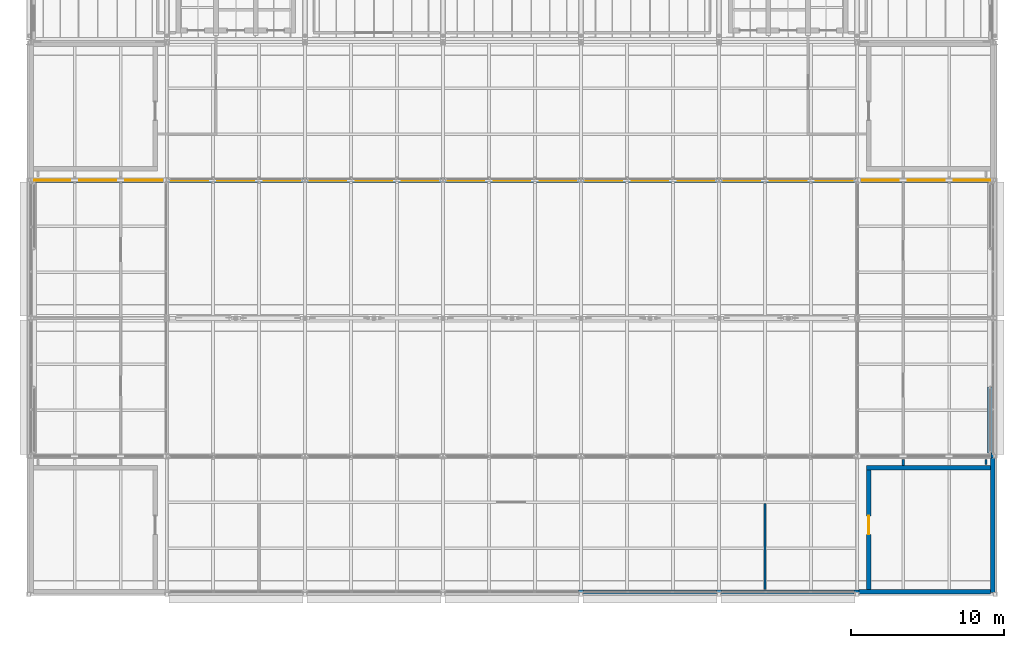
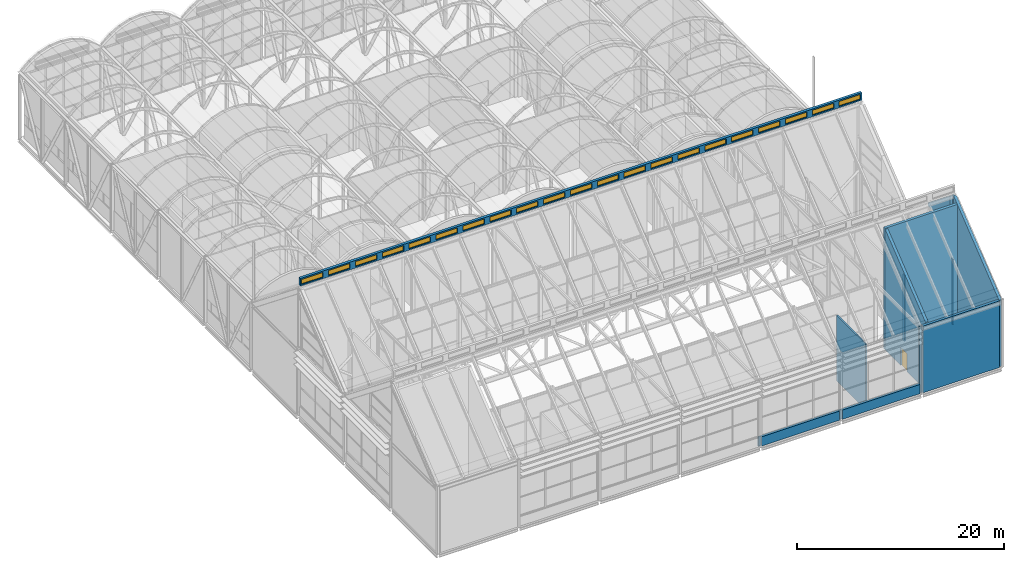
# One storey, part 126 of 144: 21 windows, 15 walls, 1 door, 22 openings.
"""IFC4 building model written with IfcOpenShell, lengths in metres."""

from ifc_helpers import new_model, si_unit, direction, frame, frame_2d, origin, place, context, subcontext, project, spatial, polyline, rectangle, outline, extrude, material, layer, layer_set, type_object, element, fill, save


model = new_model("IFC4")

# Units and contexts
model_context = context("Model", 3, precision=1e-05, world=origin(), true_north=direction((0.0, 1.0)))
body_context = subcontext(model_context, "Body", "Model", "MODEL_VIEW")
ifc_project = project(units=[si_unit("LENGTHUNIT", "METRE"), si_unit("AREAUNIT", "SQUARE_METRE"), si_unit("VOLUMEUNIT", "CUBIC_METRE"), si_unit("PLANEANGLEUNIT", "RADIAN"), si_unit("MASSUNIT", "GRAM", prefix="KILO")], contexts=[model_context])

# Site, building, storey
site_placement = place(None, origin())
site = spatial("IfcSite", under=ifc_project, at=site_placement, CompositionType="ELEMENT")
building_placement = place(site_placement, origin())
building = spatial("IfcBuilding", under=site, at=building_placement, Name="Shorebreak Coast Museum", CompositionType="ELEMENT")
storey_placement = place(building_placement, frame((0.0, 0.0, 36.0)))
storey = spatial("IfcBuildingStorey", under=building, at=storey_placement, Name="L06", CompositionType="ELEMENT", Elevation=36.0)

# Walls
ifc_material_1 = material(Name="Concrete N50 (50 MPa)", Category="concrete")
ifc_layer_1 = layer(ifc_material_1, 0.14990234375)
ifc_layer_set_1 = layer_set([ifc_layer_1], Name="Concrete N50 (50 MPa)")
wall_type_1 = type_object("IfcWallType", Name="Column closure panel 150", PredefinedType="SOLIDWALL", material=ifc_layer_set_1)
for number, where, z_axis, x_axis, name in (
    (1, (89.839111328125, 54.199951171875, 0.0), (0.0, 0.0, 1.0), (1.0, 0.0, 0.0), "Column closure panel L06 S 11G"),
    (2, (98.839111328125, 54.199951171875, 0.0), (0.0, 0.0, 1.0), (1.0, 0.0, 0.0), "Column closure panel L06 S 12G"),
):
    element("IfcWall", number, at=place(storey_placement, frame(where, z_axis=z_axis, x_axis=x_axis)), inside=storey, type_object=wall_type_1, Name=name, PredefinedType="SOLIDWALL", context=body_context, shape_type="SweptSolid", body=[
        extrude(rectangle(XDim=0.32177734375, YDim=0.14990234375, at=frame_2d((0.160888671875, 0.0))), origin(), (0.0, 0.0, 1.0), 1.10009765625),
    ])
wall_1_placement = place(storey_placement, frame((107.802978515625, 54.199951171875, 0.0), z_axis=(0.0, 0.0, 1.0), x_axis=(1.0, 0.0, 0.0)))
element("IfcWall", 3, at=wall_1_placement, inside=storey, type_object=wall_type_1, Name="Column closure panel L06 S 13G", PredefinedType="SOLIDWALL", context=body_context, shape_type="SweptSolid", body=[
    extrude(rectangle(XDim=0.322021484375, YDim=0.14990234375, at=frame_2d((0.1611328125, 0.0))), origin(), (0.0, 0.0, 1.0), 7.864013671875),
])
wall_2_placement = place(storey_placement, frame((116.800048828125, 62.875, 0.0), z_axis=(0.0, 0.0, 1.0), x_axis=(0.0, 1.0, 0.0)))
element("IfcWall", 4, at=wall_2_placement, inside=storey, type_object=wall_type_1, Name="Column closure panel L06 E 14H", PredefinedType="SOLIDWALL", context=body_context, shape_type="SweptSolid", body=[
    extrude(rectangle(XDim=0.322021484375, YDim=0.14990234375, at=frame_2d((0.1611328125, 0.0))), origin(), (0.0, 0.0, 1.0), 14.843994140625),
])
ifc_material_2 = material(Name="Plasterboard on steel stud", Category="steel")
ifc_layer_2 = layer(ifc_material_2, 0.14990234375)
ifc_layer_set_2 = layer_set([ifc_layer_2], Name="Plasterboard on steel stud")
wall_type_2 = type_object("IfcWallType", Name="Fire partition 150", PredefinedType="PARTITIONING", material=ifc_layer_set_2)
wall_3_placement = place(storey_placement, frame((102.0, 54.300048828125, 0.0), z_axis=(0.0, 0.0, 1.0), x_axis=(0.0, 1.0, 0.0)))
element("IfcWall", 5, at=wall_3_placement, inside=storey, type_object=wall_type_2, Name="Partition L06-072", PredefinedType="PARTITIONING", context=body_context, shape_type="SweptSolid", body=[
    extrude(rectangle(XDim=5.625, YDim=0.14990234375, at=frame_2d((2.8125, 0.0))), origin(), (0.0, 0.0, 1.0), 7.743896484375),
])
wall_4_placement = place(storey_placement, frame((111.0, 62.39990234375, 0.0), z_axis=(0.0, 0.0, 1.0), x_axis=(0.0, 1.0, 0.0)))
element("IfcWall", 6, at=wall_4_placement, inside=storey, type_object=wall_type_2, Name="Partition L06-077", PredefinedType="PARTITIONING", context=body_context, shape_type="SweptSolid", body=[
    extrude(rectangle(XDim=0.380126953125, YDim=0.14990234375, at=frame_2d((0.18994140625, 0.0))), origin(), (0.0, 0.0, 1.0), 7.743896484375),
])
wall_5_placement = place(storey_placement, frame((116.39990234375, 62.449951171875, 0.0), z_axis=(0.0, 0.0, 1.0), x_axis=(0.0, 1.0, 0.0)))
element("IfcWall", 7, at=wall_5_placement, inside=storey, type_object=wall_type_2, Name="Partition L06-084", PredefinedType="PARTITIONING", context=body_context, shape_type="SweptSolid", body=[
    extrude(rectangle(XDim=0.330078125, YDim=0.14990234375, at=frame_2d((0.1650390625, 0.0))), origin(), (0.0, 0.0, 1.0), 7.743896484375),
])
ifc_material_3 = material(Name="Concrete N50 (50 MPa)", Category="concrete")
ifc_layer_3 = layer(ifc_material_3, 0.35009765625)
ifc_layer_set_3 = layer_set([ifc_layer_3], Name="Concrete N50 (50 MPa)")
wall_type_3 = type_object("IfcWallType", Name="Gable crown panel 350", PredefinedType="SOLIDWALL", material=ifc_layer_set_3)
wall_6_placement = place(storey_placement, frame((116.66943359375, 63.197021484375, 11.0), z_axis=(0.0, 0.0, 1.0), x_axis=(0.0, 1.0, 0.0)))
element("IfcWall", 8, at=wall_6_placement, inside=storey, type_object=wall_type_3, Name="Gable crown apex FOLD-X-117-1", PredefinedType="SOLIDWALL", context=body_context, shape_type="SweptSolid", body=[
    extrude(outline(polyline([(0.0, 0.0), (4.302978515625, 0.0), (4.302978515625, 0.343994140625), (0.0, 3.786376953125), (0.0, 0.0)])), frame((0.0, 0.175048828125, 0.0), z_axis=(0.0, -1.0, 0.0), x_axis=(1.0, 0.0, 0.0)), (0.0, 0.0, 1.0), 0.35009765625),
])
ifc_material_4 = material(Name="Concrete N50 (50 MPa)", Category="concrete")
ifc_layer_4 = layer(ifc_material_4, 0.25)
ifc_layer_set_4 = layer_set([ifc_layer_4], Name="Concrete N50 (50 MPa)")
wall_type_4 = type_object("IfcWallType", Name="Precast upper panel 250", PredefinedType="SOLIDWALL", material=ifc_layer_set_4)
wall_7_placement = place(storey_placement, frame((90.160888671875, 54.14990234375, 0.0), z_axis=(0.0, 0.0, 1.0), x_axis=(1.0, 0.0, 0.0)))
element("IfcWall", 9, at=wall_7_placement, inside=storey, type_object=wall_type_4, Name="External wall L06 S 11G", PredefinedType="SOLIDWALL", context=body_context, shape_type="SweptSolid", body=[
    extrude(rectangle(XDim=8.67822265625, YDim=0.25, at=frame_2d((4.339111328125, 0.0))), origin(), (0.0, 0.0, 1.0), 1.10009765625),
])
wall_8_placement = place(storey_placement, frame((99.160888671875, 54.14990234375, 0.0), z_axis=(0.0, 0.0, 1.0), x_axis=(1.0, 0.0, 0.0)))
element("IfcWall", 10, at=wall_8_placement, inside=storey, type_object=wall_type_4, Name="External wall L06 S 12G", PredefinedType="SOLIDWALL", context=body_context, shape_type="SweptSolid", body=[
    extrude(rectangle(XDim=8.64208984375, YDim=0.25, at=frame_2d((4.321044921875, 0.0))), origin(), (0.0, 0.0, 1.0), 1.10009765625),
])
ifc_material_5 = material(Name="Concrete N50 (50 MPa)", Category="concrete")
ifc_layer_5 = layer(ifc_material_5, 0.300048828125)
ifc_layer_set_5 = layer_set([ifc_layer_5], Name="Concrete N50 (50 MPa)")
wall_type_5 = type_object("IfcWallType", Name="RC wall 300", PredefinedType="SHEAR", material=ifc_layer_set_5)
wall_9_placement = place(storey_placement, frame((108.125, 54.14990234375, 0.0), z_axis=(0.0, 0.0, 1.0), x_axis=(1.0, 0.0, 0.0)))
element("IfcWall", 11, at=wall_9_placement, inside=storey, type_object=wall_type_5, Name="Stair core wall ST02 L06 S", PredefinedType="SHEAR", context=body_context, shape_type="SweptSolid", body=[
    extrude(rectangle(XDim=8.574951171875, YDim=0.300048828125, at=frame_2d((4.28759765625, 0.0))), origin(), (0.0, 0.0, 1.0), 7.864013671875),
])
wall_10_placement = place(storey_placement, frame((108.60009765625, 62.25, 0.0), z_axis=(0.0, 0.0, 1.0), x_axis=(1.0, 0.0, 0.0)))
element("IfcWall", 12, at=wall_10_placement, inside=storey, type_object=wall_type_5, Name="Stair core wall ST02 L06 N", PredefinedType="SHEAR", context=body_context, shape_type="SweptSolid", body=[
    extrude(rectangle(XDim=8.099853515625, YDim=0.300048828125, at=frame_2d((4.0498046875, 0.0))), origin(), (0.0, 0.0, 1.0), 14.343994140625),
])

# Wall, opening, door
wall_11_placement = place(storey_placement, frame((108.75, 54.300048828125, 0.0), z_axis=(0.0, 0.0, 1.0), x_axis=(0.0, 1.0, 0.0)))
wall_11 = element("IfcWall", 13, at=wall_11_placement, inside=storey, type_object=wall_type_5, Name="Stair core wall ST02 L06 W", PredefinedType="SHEAR", context=body_context, shape_type="SweptSolid", body=[
    extrude(outline(polyline([(0.0, 0.0), (7.800048828125, 0.0), (7.800048828125, 14.223876953125), (0.0, 7.98388671875), (0.0, 0.0)])), frame((0.0, 0.14990234375, 0.0), z_axis=(0.0, -1.0, 0.0), x_axis=(1.0, 0.0, 0.0)), (0.0, 0.0, 1.0), 0.300048828125),
])
opening_1_placement = place(wall_11_placement, frame((3.60009765625, 0.0, 0.0)))
opening_1 = element("IfcOpeningElement", 14, at=opening_1_placement, cuts=wall_11, Name="Opening D6802", PredefinedType="OPENING", context=body_context, shape_type="SweptSolid", body=[
    extrude(rectangle(XDim=1.199951171875, YDim=2.10009765625, at=frame_2d((0.60009765625, 1.050048828125))), frame((0.0, 0.159912109375, 0.0), z_axis=(0.0, -1.0, 0.0), x_axis=(1.0, 0.0, 0.0)), (0.0, 0.0, 1.0), 0.320068359375),
])
ifc_material_6 = material(Name="Steel Grade 300", Category="steel")
door_type = type_object("IfcDoorType", Name="Fire door 1200x2100", OperationType="SINGLE_SWING_LEFT", PredefinedType="DOOR", material=ifc_material_6)
door_placement = place(opening_1_placement, origin())
door = element("IfcDoor", 15, at=door_placement, inside=storey, type_object=door_type, Name="Stair door ST02 L06", OperationType="SINGLE_SWING_RIGHT", OverallHeight=2.10009765625, OverallWidth=1.199951171875, PredefinedType="DOOR", context=body_context, shape_type="SweptSolid", body=[
    extrude(rectangle(XDim=1.199951171875, YDim=2.10009765625, at=frame_2d((0.60009765625, 1.050048828125))), frame((0.0, 0.02490234375, 0.0), z_axis=(0.0, -1.0, 0.0), x_axis=(1.0, 0.0, 0.0)), (0.0, 0.0, 1.0), 0.050048828125),
])
fill(opening_1, door)

# Wall
wall_12_placement = place(storey_placement, frame((116.85009765625, 54.125, 0.0), z_axis=(0.0, 0.0, 1.0), x_axis=(0.0, 1.0, 0.0)))
element("IfcWall", 16, at=wall_12_placement, inside=storey, type_object=wall_type_5, Name="Stair core wall ST02 L06 E", PredefinedType="SHEAR", context=body_context, shape_type="SweptSolid", body=[
    extrude(outline(polyline([(0.0, 0.0), (8.75, 0.0), (8.75, 14.843994140625), (0.0, 7.843994140625), (0.0, 0.0)])), frame((0.0, 0.14990234375, 0.0), z_axis=(0.0, -1.0, 0.0), x_axis=(1.0, 0.0, 0.0)), (0.0, 0.0, 1.0), 0.300048828125),
])

# Wall, openings, windows
ifc_material_7 = material(Name="Concrete N50 (50 MPa)", Category="concrete")
ifc_layer_6 = layer(ifc_material_7, 0.300048828125)
ifc_layer_set_6 = layer_set([ifc_layer_6], Name="Concrete N50 (50 MPa)")
wall_type_6 = type_object("IfcWallType", Name="Ridge lantern kerb 300", PredefinedType="SOLIDWALL", material=ifc_layer_set_6)
wall_13_placement = place(storey_placement, frame((54.14990234375, 81.0, 15.199951171875), z_axis=(0.0, 0.0, 1.0), x_axis=(1.0, 0.0, 0.0)))
wall_13 = element("IfcWall", 17, at=wall_13_placement, inside=storey, type_object=wall_type_6, Name="Ridge lantern FOLD-X R2", PredefinedType="SOLIDWALL", context=body_context, shape_type="SweptSolid", body=[
    extrude(rectangle(XDim=62.7001953125, YDim=0.300048828125, at=frame_2d((31.35009765625, 0.0))), origin(), (0.0, 0.0, 1.0), 0.900146484375),
])
opening_2_placement = place(wall_13_placement, frame((0.14990234375, 0.0, 0.14990234375)))
opening_2 = element("IfcOpeningElement", 18, at=opening_2_placement, cuts=wall_13, Name="Opening R-58", PredefinedType="OPENING", context=body_context, shape_type="SweptSolid", body=[
    extrude(rectangle(XDim=2.39990234375, YDim=0.60009765625, at=frame_2d((1.199951171875, 0.300048828125))), frame((0.0, 0.159912109375, 0.0), z_axis=(0.0, -1.0, 0.0), x_axis=(1.0, 0.0, 0.0)), (0.0, 0.0, 1.0), 0.320068359375),
])
opening_3_placement = place(wall_13_placement, frame((3.14990234375, 0.0, 0.14990234375)))
opening_3 = element("IfcOpeningElement", 19, at=opening_3_placement, cuts=wall_13, Name="Opening R-59", PredefinedType="OPENING", context=body_context, shape_type="SweptSolid", body=[
    extrude(rectangle(XDim=2.39990234375, YDim=0.60009765625, at=frame_2d((1.199951171875, 0.300048828125))), frame((0.0, 0.159912109375, 0.0), z_axis=(0.0, -1.0, 0.0), x_axis=(1.0, 0.0, 0.0)), (0.0, 0.0, 1.0), 0.320068359375),
])
opening_4_placement = place(wall_13_placement, frame((6.14990234375, 0.0, 0.14990234375)))
opening_4 = element("IfcOpeningElement", 20, at=opening_4_placement, cuts=wall_13, Name="Opening R-60", PredefinedType="OPENING", context=body_context, shape_type="SweptSolid", body=[
    extrude(rectangle(XDim=2.39990234375, YDim=0.60009765625, at=frame_2d((1.199951171875, 0.300048828125))), frame((0.0, 0.159912109375, 0.0), z_axis=(0.0, -1.0, 0.0), x_axis=(1.0, 0.0, 0.0)), (0.0, 0.0, 1.0), 0.320068359375),
])
opening_5_placement = place(wall_13_placement, frame((9.14990234375, 0.0, 0.14990234375)))
opening_5 = element("IfcOpeningElement", 21, at=opening_5_placement, cuts=wall_13, Name="Opening R-61", PredefinedType="OPENING", context=body_context, shape_type="SweptSolid", body=[
    extrude(rectangle(XDim=2.39990234375, YDim=0.60009765625, at=frame_2d((1.199951171875, 0.300048828125))), frame((0.0, 0.159912109375, 0.0), z_axis=(0.0, -1.0, 0.0), x_axis=(1.0, 0.0, 0.0)), (0.0, 0.0, 1.0), 0.320068359375),
])
opening_6_placement = place(wall_13_placement, frame((12.14990234375, 0.0, 0.14990234375)))
opening_6 = element("IfcOpeningElement", 22, at=opening_6_placement, cuts=wall_13, Name="Opening R-62", PredefinedType="OPENING", context=body_context, shape_type="SweptSolid", body=[
    extrude(rectangle(XDim=2.39990234375, YDim=0.60009765625, at=frame_2d((1.199951171875, 0.300048828125))), frame((0.0, 0.159912109375, 0.0), z_axis=(0.0, -1.0, 0.0), x_axis=(1.0, 0.0, 0.0)), (0.0, 0.0, 1.0), 0.320068359375),
])
opening_7_placement = place(wall_13_placement, frame((15.14990234375, 0.0, 0.14990234375)))
opening_7 = element("IfcOpeningElement", 23, at=opening_7_placement, cuts=wall_13, Name="Opening R-63", PredefinedType="OPENING", context=body_context, shape_type="SweptSolid", body=[
    extrude(rectangle(XDim=2.39990234375, YDim=0.60009765625, at=frame_2d((1.199951171875, 0.300048828125))), frame((0.0, 0.159912109375, 0.0), z_axis=(0.0, -1.0, 0.0), x_axis=(1.0, 0.0, 0.0)), (0.0, 0.0, 1.0), 0.320068359375),
])
opening_8_placement = place(wall_13_placement, frame((18.14990234375, 0.0, 0.14990234375)))
opening_8 = element("IfcOpeningElement", 24, at=opening_8_placement, cuts=wall_13, Name="Opening R-64", PredefinedType="OPENING", context=body_context, shape_type="SweptSolid", body=[
    extrude(rectangle(XDim=2.39990234375, YDim=0.60009765625, at=frame_2d((1.199951171875, 0.300048828125))), frame((0.0, 0.159912109375, 0.0), z_axis=(0.0, -1.0, 0.0), x_axis=(1.0, 0.0, 0.0)), (0.0, 0.0, 1.0), 0.320068359375),
])
opening_9_placement = place(wall_13_placement, frame((21.14990234375, 0.0, 0.14990234375)))
opening_9 = element("IfcOpeningElement", 25, at=opening_9_placement, cuts=wall_13, Name="Opening R-65", PredefinedType="OPENING", context=body_context, shape_type="SweptSolid", body=[
    extrude(rectangle(XDim=2.39990234375, YDim=0.60009765625, at=frame_2d((1.199951171875, 0.300048828125))), frame((0.0, 0.159912109375, 0.0), z_axis=(0.0, -1.0, 0.0), x_axis=(1.0, 0.0, 0.0)), (0.0, 0.0, 1.0), 0.320068359375),
])
opening_10_placement = place(wall_13_placement, frame((24.14990234375, 0.0, 0.14990234375)))
opening_10 = element("IfcOpeningElement", 26, at=opening_10_placement, cuts=wall_13, Name="Opening R-66", PredefinedType="OPENING", context=body_context, shape_type="SweptSolid", body=[
    extrude(rectangle(XDim=2.39990234375, YDim=0.60009765625, at=frame_2d((1.199951171875, 0.300048828125))), frame((0.0, 0.159912109375, 0.0), z_axis=(0.0, -1.0, 0.0), x_axis=(1.0, 0.0, 0.0)), (0.0, 0.0, 1.0), 0.320068359375),
])
opening_11_placement = place(wall_13_placement, frame((27.14990234375, 0.0, 0.14990234375)))
opening_11 = element("IfcOpeningElement", 27, at=opening_11_placement, cuts=wall_13, Name="Opening R-67", PredefinedType="OPENING", context=body_context, shape_type="SweptSolid", body=[
    extrude(rectangle(XDim=2.39990234375, YDim=0.60009765625, at=frame_2d((1.199951171875, 0.300048828125))), frame((0.0, 0.159912109375, 0.0), z_axis=(0.0, -1.0, 0.0), x_axis=(1.0, 0.0, 0.0)), (0.0, 0.0, 1.0), 0.320068359375),
])
opening_12_placement = place(wall_13_placement, frame((30.14990234375, 0.0, 0.14990234375)))
opening_12 = element("IfcOpeningElement", 28, at=opening_12_placement, cuts=wall_13, Name="Opening R-68", PredefinedType="OPENING", context=body_context, shape_type="SweptSolid", body=[
    extrude(rectangle(XDim=2.39990234375, YDim=0.60009765625, at=frame_2d((1.199951171875, 0.300048828125))), frame((0.0, 0.159912109375, 0.0), z_axis=(0.0, -1.0, 0.0), x_axis=(1.0, 0.0, 0.0)), (0.0, 0.0, 1.0), 0.320068359375),
])
opening_13_placement = place(wall_13_placement, frame((33.14990234375, 0.0, 0.14990234375)))
opening_13 = element("IfcOpeningElement", 29, at=opening_13_placement, cuts=wall_13, Name="Opening R-69", PredefinedType="OPENING", context=body_context, shape_type="SweptSolid", body=[
    extrude(rectangle(XDim=2.39990234375, YDim=0.60009765625, at=frame_2d((1.199951171875, 0.300048828125))), frame((0.0, 0.159912109375, 0.0), z_axis=(0.0, -1.0, 0.0), x_axis=(1.0, 0.0, 0.0)), (0.0, 0.0, 1.0), 0.320068359375),
])
opening_14_placement = place(wall_13_placement, frame((36.14990234375, 0.0, 0.14990234375)))
opening_14 = element("IfcOpeningElement", 30, at=opening_14_placement, cuts=wall_13, Name="Opening R-70", PredefinedType="OPENING", context=body_context, shape_type="SweptSolid", body=[
    extrude(rectangle(XDim=2.39990234375, YDim=0.60009765625, at=frame_2d((1.199951171875, 0.300048828125))), frame((0.0, 0.159912109375, 0.0), z_axis=(0.0, -1.0, 0.0), x_axis=(1.0, 0.0, 0.0)), (0.0, 0.0, 1.0), 0.320068359375),
])
opening_15_placement = place(wall_13_placement, frame((39.14990234375, 0.0, 0.14990234375)))
opening_15 = element("IfcOpeningElement", 31, at=opening_15_placement, cuts=wall_13, Name="Opening R-71", PredefinedType="OPENING", context=body_context, shape_type="SweptSolid", body=[
    extrude(rectangle(XDim=2.39990234375, YDim=0.60009765625, at=frame_2d((1.199951171875, 0.300048828125))), frame((0.0, 0.159912109375, 0.0), z_axis=(0.0, -1.0, 0.0), x_axis=(1.0, 0.0, 0.0)), (0.0, 0.0, 1.0), 0.320068359375),
])
opening_16_placement = place(wall_13_placement, frame((42.14990234375, 0.0, 0.14990234375)))
opening_16 = element("IfcOpeningElement", 32, at=opening_16_placement, cuts=wall_13, Name="Opening R-72", PredefinedType="OPENING", context=body_context, shape_type="SweptSolid", body=[
    extrude(rectangle(XDim=2.39990234375, YDim=0.60009765625, at=frame_2d((1.199951171875, 0.300048828125))), frame((0.0, 0.159912109375, 0.0), z_axis=(0.0, -1.0, 0.0), x_axis=(1.0, 0.0, 0.0)), (0.0, 0.0, 1.0), 0.320068359375),
])
opening_17_placement = place(wall_13_placement, frame((45.14990234375, 0.0, 0.14990234375)))
opening_17 = element("IfcOpeningElement", 33, at=opening_17_placement, cuts=wall_13, Name="Opening R-73", PredefinedType="OPENING", context=body_context, shape_type="SweptSolid", body=[
    extrude(rectangle(XDim=2.39990234375, YDim=0.60009765625, at=frame_2d((1.199951171875, 0.300048828125))), frame((0.0, 0.159912109375, 0.0), z_axis=(0.0, -1.0, 0.0), x_axis=(1.0, 0.0, 0.0)), (0.0, 0.0, 1.0), 0.320068359375),
])
opening_18_placement = place(wall_13_placement, frame((48.14990234375, 0.0, 0.14990234375)))
opening_18 = element("IfcOpeningElement", 34, at=opening_18_placement, cuts=wall_13, Name="Opening R-74", PredefinedType="OPENING", context=body_context, shape_type="SweptSolid", body=[
    extrude(rectangle(XDim=2.39990234375, YDim=0.60009765625, at=frame_2d((1.199951171875, 0.300048828125))), frame((0.0, 0.159912109375, 0.0), z_axis=(0.0, -1.0, 0.0), x_axis=(1.0, 0.0, 0.0)), (0.0, 0.0, 1.0), 0.320068359375),
])
opening_19_placement = place(wall_13_placement, frame((51.14990234375, 0.0, 0.14990234375)))
opening_19 = element("IfcOpeningElement", 35, at=opening_19_placement, cuts=wall_13, Name="Opening R-75", PredefinedType="OPENING", context=body_context, shape_type="SweptSolid", body=[
    extrude(rectangle(XDim=2.39990234375, YDim=0.60009765625, at=frame_2d((1.199951171875, 0.300048828125))), frame((0.0, 0.159912109375, 0.0), z_axis=(0.0, -1.0, 0.0), x_axis=(1.0, 0.0, 0.0)), (0.0, 0.0, 1.0), 0.320068359375),
])
opening_20_placement = place(wall_13_placement, frame((54.14990234375, 0.0, 0.14990234375)))
opening_20 = element("IfcOpeningElement", 36, at=opening_20_placement, cuts=wall_13, Name="Opening R-76", PredefinedType="OPENING", context=body_context, shape_type="SweptSolid", body=[
    extrude(rectangle(XDim=2.39990234375, YDim=0.60009765625, at=frame_2d((1.199951171875, 0.300048828125))), frame((0.0, 0.159912109375, 0.0), z_axis=(0.0, -1.0, 0.0), x_axis=(1.0, 0.0, 0.0)), (0.0, 0.0, 1.0), 0.320068359375),
])
opening_21_placement = place(wall_13_placement, frame((57.14990234375, 0.0, 0.14990234375)))
opening_21 = element("IfcOpeningElement", 37, at=opening_21_placement, cuts=wall_13, Name="Opening R-77", PredefinedType="OPENING", context=body_context, shape_type="SweptSolid", body=[
    extrude(rectangle(XDim=2.39990234375, YDim=0.60009765625, at=frame_2d((1.199951171875, 0.300048828125))), frame((0.0, 0.159912109375, 0.0), z_axis=(0.0, -1.0, 0.0), x_axis=(1.0, 0.0, 0.0)), (0.0, 0.0, 1.0), 0.320068359375),
])
opening_22_placement = place(wall_13_placement, frame((60.14990234375, 0.0, 0.14990234375)))
opening_22 = element("IfcOpeningElement", 38, at=opening_22_placement, cuts=wall_13, Name="Opening R-78", PredefinedType="OPENING", context=body_context, shape_type="SweptSolid", body=[
    extrude(rectangle(XDim=2.39990234375, YDim=0.60009765625, at=frame_2d((1.199951171875, 0.300048828125))), frame((0.0, 0.159912109375, 0.0), z_axis=(0.0, -1.0, 0.0), x_axis=(1.0, 0.0, 0.0)), (0.0, 0.0, 1.0), 0.320068359375),
])
ifc_material_8 = material(Name="Aluminium", Category="aluminium")
window_type = type_object("IfcWindowType", Name="Rooflight 2400 x 600", PartitioningType="SINGLE_PANEL", PredefinedType="SKYLIGHT", material=ifc_material_8)
window_1_placement = place(opening_2_placement, origin())
window_1 = element("IfcWindow", 39, at=window_1_placement, inside=storey, type_object=window_type, Name="Rooflight R-58", OverallHeight=0.60009765625, OverallWidth=2.39990234375, PartitioningType="SINGLE_PANEL", PredefinedType="SKYLIGHT", context=body_context, shape_type="SweptSolid", body=[
    extrude(rectangle(XDim=2.39990234375, YDim=0.60009765625, at=frame_2d((1.199951171875, 0.300048828125))), frame((0.0, 0.030029296875, 0.0), z_axis=(0.0, -1.0, 0.0), x_axis=(1.0, 0.0, 0.0)), (0.0, 0.0, 1.0), 0.06005859375),
])
fill(opening_2, window_1)
window_2_placement = place(opening_3_placement, origin())
window_2 = element("IfcWindow", 40, at=window_2_placement, inside=storey, type_object=window_type, Name="Rooflight R-59", OverallHeight=0.60009765625, OverallWidth=2.39990234375, PartitioningType="SINGLE_PANEL", PredefinedType="SKYLIGHT", context=body_context, shape_type="SweptSolid", body=[
    extrude(rectangle(XDim=2.39990234375, YDim=0.60009765625, at=frame_2d((1.199951171875, 0.300048828125))), frame((0.0, 0.030029296875, 0.0), z_axis=(0.0, -1.0, 0.0), x_axis=(1.0, 0.0, 0.0)), (0.0, 0.0, 1.0), 0.06005859375),
])
fill(opening_3, window_2)
window_3_placement = place(opening_4_placement, origin())
window_3 = element("IfcWindow", 41, at=window_3_placement, inside=storey, type_object=window_type, Name="Rooflight R-60", OverallHeight=0.60009765625, OverallWidth=2.39990234375, PartitioningType="SINGLE_PANEL", PredefinedType="SKYLIGHT", context=body_context, shape_type="SweptSolid", body=[
    extrude(rectangle(XDim=2.39990234375, YDim=0.60009765625, at=frame_2d((1.199951171875, 0.300048828125))), frame((0.0, 0.030029296875, 0.0), z_axis=(0.0, -1.0, 0.0), x_axis=(1.0, 0.0, 0.0)), (0.0, 0.0, 1.0), 0.06005859375),
])
fill(opening_4, window_3)
window_4_placement = place(opening_5_placement, origin())
window_4 = element("IfcWindow", 42, at=window_4_placement, inside=storey, type_object=window_type, Name="Rooflight R-61", OverallHeight=0.60009765625, OverallWidth=2.39990234375, PartitioningType="SINGLE_PANEL", PredefinedType="SKYLIGHT", context=body_context, shape_type="SweptSolid", body=[
    extrude(rectangle(XDim=2.39990234375, YDim=0.60009765625, at=frame_2d((1.199951171875, 0.300048828125))), frame((0.0, 0.030029296875, 0.0), z_axis=(0.0, -1.0, 0.0), x_axis=(1.0, 0.0, 0.0)), (0.0, 0.0, 1.0), 0.06005859375),
])
fill(opening_5, window_4)
window_5_placement = place(opening_6_placement, origin())
window_5 = element("IfcWindow", 43, at=window_5_placement, inside=storey, type_object=window_type, Name="Rooflight R-62", OverallHeight=0.60009765625, OverallWidth=2.39990234375, PartitioningType="SINGLE_PANEL", PredefinedType="SKYLIGHT", context=body_context, shape_type="SweptSolid", body=[
    extrude(rectangle(XDim=2.39990234375, YDim=0.60009765625, at=frame_2d((1.199951171875, 0.300048828125))), frame((0.0, 0.030029296875, 0.0), z_axis=(0.0, -1.0, 0.0), x_axis=(1.0, 0.0, 0.0)), (0.0, 0.0, 1.0), 0.06005859375),
])
fill(opening_6, window_5)
window_6_placement = place(opening_7_placement, origin())
window_6 = element("IfcWindow", 44, at=window_6_placement, inside=storey, type_object=window_type, Name="Rooflight R-63", OverallHeight=0.60009765625, OverallWidth=2.39990234375, PartitioningType="SINGLE_PANEL", PredefinedType="SKYLIGHT", context=body_context, shape_type="SweptSolid", body=[
    extrude(rectangle(XDim=2.39990234375, YDim=0.60009765625, at=frame_2d((1.199951171875, 0.300048828125))), frame((0.0, 0.030029296875, 0.0), z_axis=(0.0, -1.0, 0.0), x_axis=(1.0, 0.0, 0.0)), (0.0, 0.0, 1.0), 0.06005859375),
])
fill(opening_7, window_6)
window_7_placement = place(opening_8_placement, origin())
window_7 = element("IfcWindow", 45, at=window_7_placement, inside=storey, type_object=window_type, Name="Rooflight R-64", OverallHeight=0.60009765625, OverallWidth=2.39990234375, PartitioningType="SINGLE_PANEL", PredefinedType="SKYLIGHT", context=body_context, shape_type="SweptSolid", body=[
    extrude(rectangle(XDim=2.39990234375, YDim=0.60009765625, at=frame_2d((1.199951171875, 0.300048828125))), frame((0.0, 0.030029296875, 0.0), z_axis=(0.0, -1.0, 0.0), x_axis=(1.0, 0.0, 0.0)), (0.0, 0.0, 1.0), 0.06005859375),
])
fill(opening_8, window_7)
window_8_placement = place(opening_9_placement, origin())
window_8 = element("IfcWindow", 46, at=window_8_placement, inside=storey, type_object=window_type, Name="Rooflight R-65", OverallHeight=0.60009765625, OverallWidth=2.39990234375, PartitioningType="SINGLE_PANEL", PredefinedType="SKYLIGHT", context=body_context, shape_type="SweptSolid", body=[
    extrude(rectangle(XDim=2.39990234375, YDim=0.60009765625, at=frame_2d((1.199951171875, 0.300048828125))), frame((0.0, 0.030029296875, 0.0), z_axis=(0.0, -1.0, 0.0), x_axis=(1.0, 0.0, 0.0)), (0.0, 0.0, 1.0), 0.06005859375),
])
fill(opening_9, window_8)
window_9_placement = place(opening_10_placement, origin())
window_9 = element("IfcWindow", 47, at=window_9_placement, inside=storey, type_object=window_type, Name="Rooflight R-66", OverallHeight=0.60009765625, OverallWidth=2.39990234375, PartitioningType="SINGLE_PANEL", PredefinedType="SKYLIGHT", context=body_context, shape_type="SweptSolid", body=[
    extrude(rectangle(XDim=2.39990234375, YDim=0.60009765625, at=frame_2d((1.199951171875, 0.300048828125))), frame((0.0, 0.030029296875, 0.0), z_axis=(0.0, -1.0, 0.0), x_axis=(1.0, 0.0, 0.0)), (0.0, 0.0, 1.0), 0.06005859375),
])
fill(opening_10, window_9)
window_10_placement = place(opening_11_placement, origin())
window_10 = element("IfcWindow", 48, at=window_10_placement, inside=storey, type_object=window_type, Name="Rooflight R-67", OverallHeight=0.60009765625, OverallWidth=2.39990234375, PartitioningType="SINGLE_PANEL", PredefinedType="SKYLIGHT", context=body_context, shape_type="SweptSolid", body=[
    extrude(rectangle(XDim=2.39990234375, YDim=0.60009765625, at=frame_2d((1.199951171875, 0.300048828125))), frame((0.0, 0.030029296875, 0.0), z_axis=(0.0, -1.0, 0.0), x_axis=(1.0, 0.0, 0.0)), (0.0, 0.0, 1.0), 0.06005859375),
])
fill(opening_11, window_10)
window_11_placement = place(opening_12_placement, origin())
window_11 = element("IfcWindow", 49, at=window_11_placement, inside=storey, type_object=window_type, Name="Rooflight R-68", OverallHeight=0.60009765625, OverallWidth=2.39990234375, PartitioningType="SINGLE_PANEL", PredefinedType="SKYLIGHT", context=body_context, shape_type="SweptSolid", body=[
    extrude(rectangle(XDim=2.39990234375, YDim=0.60009765625, at=frame_2d((1.199951171875, 0.300048828125))), frame((0.0, 0.030029296875, 0.0), z_axis=(0.0, -1.0, 0.0), x_axis=(1.0, 0.0, 0.0)), (0.0, 0.0, 1.0), 0.06005859375),
])
fill(opening_12, window_11)
window_12_placement = place(opening_13_placement, origin())
window_12 = element("IfcWindow", 50, at=window_12_placement, inside=storey, type_object=window_type, Name="Rooflight R-69", OverallHeight=0.60009765625, OverallWidth=2.39990234375, PartitioningType="SINGLE_PANEL", PredefinedType="SKYLIGHT", context=body_context, shape_type="SweptSolid", body=[
    extrude(rectangle(XDim=2.39990234375, YDim=0.60009765625, at=frame_2d((1.199951171875, 0.300048828125))), frame((0.0, 0.030029296875, 0.0), z_axis=(0.0, -1.0, 0.0), x_axis=(1.0, 0.0, 0.0)), (0.0, 0.0, 1.0), 0.06005859375),
])
fill(opening_13, window_12)
window_13_placement = place(opening_14_placement, origin())
window_13 = element("IfcWindow", 51, at=window_13_placement, inside=storey, type_object=window_type, Name="Rooflight R-70", OverallHeight=0.60009765625, OverallWidth=2.39990234375, PartitioningType="SINGLE_PANEL", PredefinedType="SKYLIGHT", context=body_context, shape_type="SweptSolid", body=[
    extrude(rectangle(XDim=2.39990234375, YDim=0.60009765625, at=frame_2d((1.199951171875, 0.300048828125))), frame((0.0, 0.030029296875, 0.0), z_axis=(0.0, -1.0, 0.0), x_axis=(1.0, 0.0, 0.0)), (0.0, 0.0, 1.0), 0.06005859375),
])
fill(opening_14, window_13)
window_14_placement = place(opening_15_placement, origin())
window_14 = element("IfcWindow", 52, at=window_14_placement, inside=storey, type_object=window_type, Name="Rooflight R-71", OverallHeight=0.60009765625, OverallWidth=2.39990234375, PartitioningType="SINGLE_PANEL", PredefinedType="SKYLIGHT", context=body_context, shape_type="SweptSolid", body=[
    extrude(rectangle(XDim=2.39990234375, YDim=0.60009765625, at=frame_2d((1.199951171875, 0.300048828125))), frame((0.0, 0.030029296875, 0.0), z_axis=(0.0, -1.0, 0.0), x_axis=(1.0, 0.0, 0.0)), (0.0, 0.0, 1.0), 0.06005859375),
])
fill(opening_15, window_14)
window_15_placement = place(opening_16_placement, origin())
window_15 = element("IfcWindow", 53, at=window_15_placement, inside=storey, type_object=window_type, Name="Rooflight R-72", OverallHeight=0.60009765625, OverallWidth=2.39990234375, PartitioningType="SINGLE_PANEL", PredefinedType="SKYLIGHT", context=body_context, shape_type="SweptSolid", body=[
    extrude(rectangle(XDim=2.39990234375, YDim=0.60009765625, at=frame_2d((1.199951171875, 0.300048828125))), frame((0.0, 0.030029296875, 0.0), z_axis=(0.0, -1.0, 0.0), x_axis=(1.0, 0.0, 0.0)), (0.0, 0.0, 1.0), 0.06005859375),
])
fill(opening_16, window_15)
window_16_placement = place(opening_17_placement, origin())
window_16 = element("IfcWindow", 54, at=window_16_placement, inside=storey, type_object=window_type, Name="Rooflight R-73", OverallHeight=0.60009765625, OverallWidth=2.39990234375, PartitioningType="SINGLE_PANEL", PredefinedType="SKYLIGHT", context=body_context, shape_type="SweptSolid", body=[
    extrude(rectangle(XDim=2.39990234375, YDim=0.60009765625, at=frame_2d((1.199951171875, 0.300048828125))), frame((0.0, 0.030029296875, 0.0), z_axis=(0.0, -1.0, 0.0), x_axis=(1.0, 0.0, 0.0)), (0.0, 0.0, 1.0), 0.06005859375),
])
fill(opening_17, window_16)
window_17_placement = place(opening_18_placement, origin())
window_17 = element("IfcWindow", 55, at=window_17_placement, inside=storey, type_object=window_type, Name="Rooflight R-74", OverallHeight=0.60009765625, OverallWidth=2.39990234375, PartitioningType="SINGLE_PANEL", PredefinedType="SKYLIGHT", context=body_context, shape_type="SweptSolid", body=[
    extrude(rectangle(XDim=2.39990234375, YDim=0.60009765625, at=frame_2d((1.199951171875, 0.300048828125))), frame((0.0, 0.030029296875, 0.0), z_axis=(0.0, -1.0, 0.0), x_axis=(1.0, 0.0, 0.0)), (0.0, 0.0, 1.0), 0.06005859375),
])
fill(opening_18, window_17)
window_18_placement = place(opening_19_placement, origin())
window_18 = element("IfcWindow", 56, at=window_18_placement, inside=storey, type_object=window_type, Name="Rooflight R-75", OverallHeight=0.60009765625, OverallWidth=2.39990234375, PartitioningType="SINGLE_PANEL", PredefinedType="SKYLIGHT", context=body_context, shape_type="SweptSolid", body=[
    extrude(rectangle(XDim=2.39990234375, YDim=0.60009765625, at=frame_2d((1.199951171875, 0.300048828125))), frame((0.0, 0.030029296875, 0.0), z_axis=(0.0, -1.0, 0.0), x_axis=(1.0, 0.0, 0.0)), (0.0, 0.0, 1.0), 0.06005859375),
])
fill(opening_19, window_18)
window_19_placement = place(opening_20_placement, origin())
window_19 = element("IfcWindow", 57, at=window_19_placement, inside=storey, type_object=window_type, Name="Rooflight R-76", OverallHeight=0.60009765625, OverallWidth=2.39990234375, PartitioningType="SINGLE_PANEL", PredefinedType="SKYLIGHT", context=body_context, shape_type="SweptSolid", body=[
    extrude(rectangle(XDim=2.39990234375, YDim=0.60009765625, at=frame_2d((1.199951171875, 0.300048828125))), frame((0.0, 0.030029296875, 0.0), z_axis=(0.0, -1.0, 0.0), x_axis=(1.0, 0.0, 0.0)), (0.0, 0.0, 1.0), 0.06005859375),
])
fill(opening_20, window_19)
window_20_placement = place(opening_21_placement, origin())
window_20 = element("IfcWindow", 58, at=window_20_placement, inside=storey, type_object=window_type, Name="Rooflight R-77", OverallHeight=0.60009765625, OverallWidth=2.39990234375, PartitioningType="SINGLE_PANEL", PredefinedType="SKYLIGHT", context=body_context, shape_type="SweptSolid", body=[
    extrude(rectangle(XDim=2.39990234375, YDim=0.60009765625, at=frame_2d((1.199951171875, 0.300048828125))), frame((0.0, 0.030029296875, 0.0), z_axis=(0.0, -1.0, 0.0), x_axis=(1.0, 0.0, 0.0)), (0.0, 0.0, 1.0), 0.06005859375),
])
fill(opening_21, window_20)
window_21_placement = place(opening_22_placement, origin())
window_21 = element("IfcWindow", 59, at=window_21_placement, inside=storey, type_object=window_type, Name="Rooflight R-78", OverallHeight=0.60009765625, OverallWidth=2.39990234375, PartitioningType="SINGLE_PANEL", PredefinedType="SKYLIGHT", context=body_context, shape_type="SweptSolid", body=[
    extrude(rectangle(XDim=2.39990234375, YDim=0.60009765625, at=frame_2d((1.199951171875, 0.300048828125))), frame((0.0, 0.030029296875, 0.0), z_axis=(0.0, -1.0, 0.0), x_axis=(1.0, 0.0, 0.0)), (0.0, 0.0, 1.0), 0.06005859375),
])
fill(opening_22, window_21)

save(model, "model.ifc")
